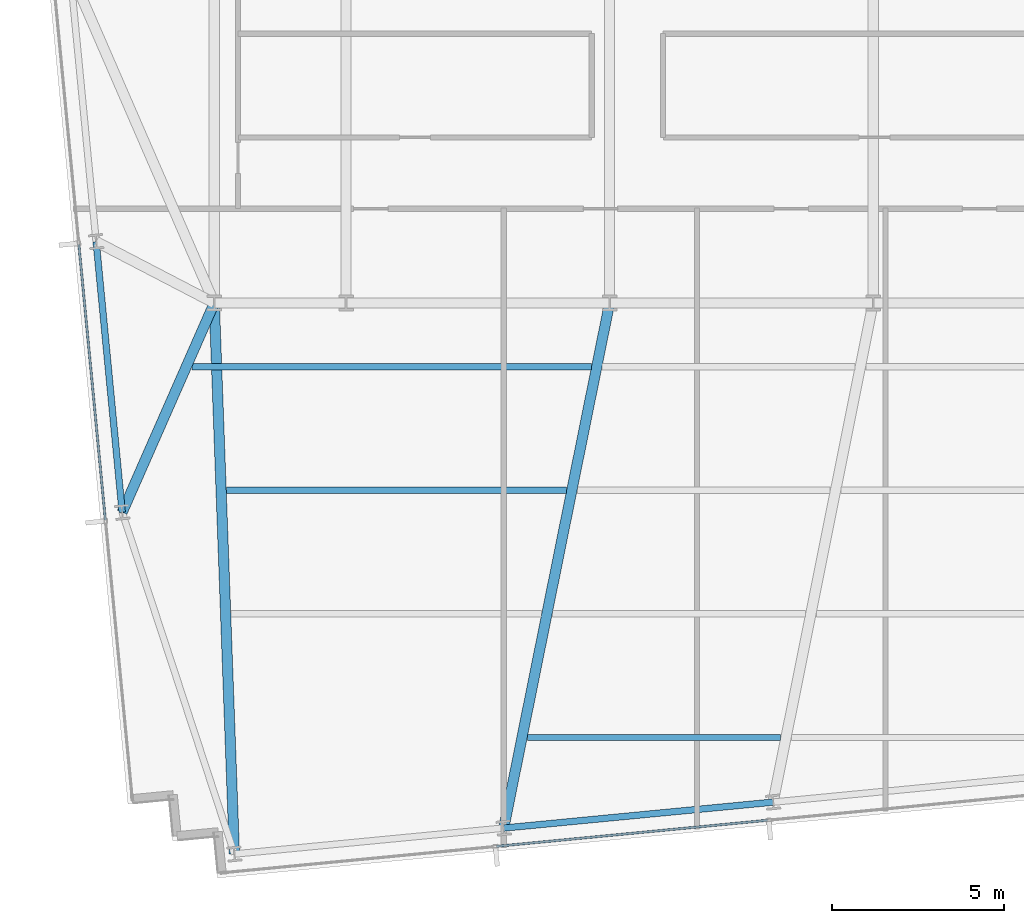
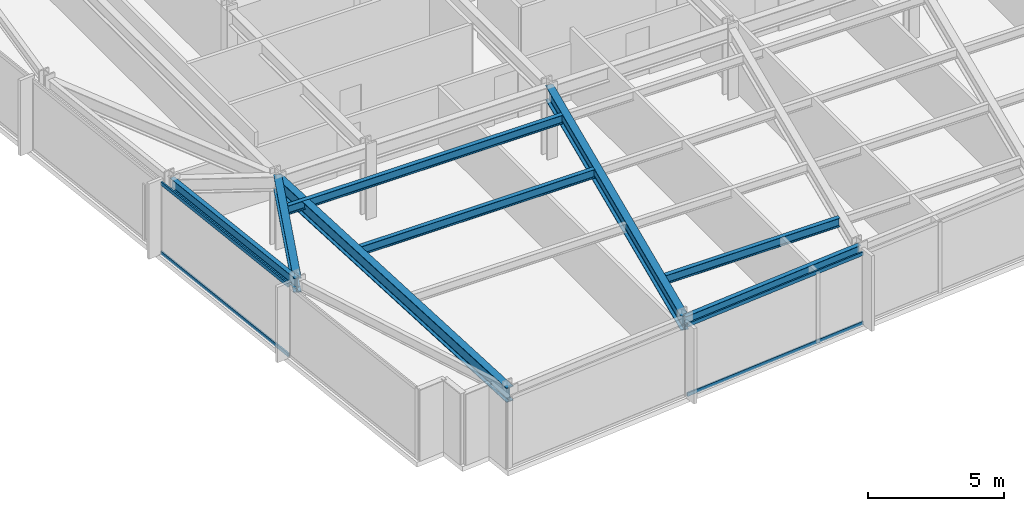
# One storey, part 3 of 32: 8 beams, 4 members, 2 elements without a shape of their own.
"""IFC4 building model written with IfcOpenShell, lengths in metres."""

from ifc_helpers import new_model, si_unit, direction, frame, origin, origin_2d, place, context, subcontext, project, spatial, hollow_rectangle, i_section, extrude, material, material_profile, profile_set, type_object, element, aggregate, save


model = new_model("IFC4")

# Units and contexts
model_context = context("Model", 3, precision=1e-05, world=origin(), true_north=direction((0.0, 1.0)))
body_context = subcontext(model_context, "Body", "Model", "MODEL_VIEW")
ifc_project = project(units=[si_unit("LENGTHUNIT", "METRE"), si_unit("AREAUNIT", "SQUARE_METRE"), si_unit("VOLUMEUNIT", "CUBIC_METRE"), si_unit("PLANEANGLEUNIT", "RADIAN"), si_unit("MASSUNIT", "GRAM", prefix="KILO")], contexts=[model_context])

# Site, building, storey
site_placement = place(None, origin())
site = spatial("IfcSite", under=ifc_project, at=site_placement, CompositionType="ELEMENT")
building_placement = place(site_placement, origin())
building = spatial("IfcBuilding", under=site, at=building_placement, Name="Yelkora Congress Tower", CompositionType="ELEMENT")
storey_placement = place(building_placement, frame((0.0, 0.0, 130.5)))
storey = spatial("IfcBuildingStorey", under=building, at=storey_placement, Name="L35", CompositionType="ELEMENT", Elevation=130.5)

# Beams
ifc_material_1 = material(Name="Steel S355J2", Category="steel")
ifc_material_profile_1 = material_profile(ifc_material_1, i_section(OverallWidth=0.300048828125, OverallDepth=0.64990234375, WebThickness=0.01611328125, FlangeThickness=0.031005859375, FilletRadius=0.027099609375, at=origin_2d()), Name="HEB 650")
ifc_profile_set_1 = profile_set([ifc_material_profile_1], Name="Steel S355J2")
beam_type_1 = type_object("IfcBeamType", Name="BM-GIRD-HEB650", PredefinedType="BEAM", material=ifc_profile_set_1)
beam_1_placement = place(storey_placement, frame((19.785888671875, 9.144287109375, 2.85498046875), z_axis=(-0.03646985294, 0.999334753637, 0.0), x_axis=(-0.999334753637, -0.03646985294, 0.0)))
element("IfcBeam", 1, at=beam_1_placement, inside=storey, type_object=beam_type_1, Name="L35 Primary Frame Girder S01", PredefinedType="BEAM", context=body_context, shape_type="SweptSolid", body=[
    extrude(i_section(OverallWidth=0.300048828125, OverallDepth=0.64990234375, WebThickness=0.01611328125, FlangeThickness=0.031005859375, FilletRadius=0.027099609375, at=origin_2d()), origin(), (0.0, 0.0, 1.0), 16.06640625),
])
beam_2_placement = place(storey_placement, frame((27.635498046875, 9.900146484375, 2.85498046875), z_axis=(0.197625995154, 0.980277494406, 0.0), x_axis=(-0.980277494406, 0.197625995154, 0.0)))
element("IfcBeam", 2, at=beam_2_placement, inside=storey, type_object=beam_type_1, Name="L35 Primary Frame Girder S02", PredefinedType="BEAM", context=body_context, shape_type="SweptSolid", body=[
    extrude(i_section(OverallWidth=0.300048828125, OverallDepth=0.64990234375, WebThickness=0.01611328125, FlangeThickness=0.031005859375, FilletRadius=0.027099609375, at=origin_2d()), origin(), (0.0, 0.0, 1.0), 15.607666015625),
])
beam_3_placement = place(storey_placement, frame((16.5166015625, 19.101806640625, 2.85498046875), z_axis=(0.402759490709, 0.915305846504, 0.0), x_axis=(-0.915305846504, 0.402759490709, 0.0)))
element("IfcBeam", 3, at=beam_3_placement, inside=storey, type_object=beam_type_1, Name="L35 Primary Frame Girder W01", PredefinedType="BEAM", context=body_context, shape_type="SweptSolid", body=[
    extrude(i_section(OverallWidth=0.300048828125, OverallDepth=0.64990234375, WebThickness=0.01611328125, FlangeThickness=0.031005859375, FilletRadius=0.027099609375, at=origin_2d()), origin(), (0.0, 0.0, 1.0), 6.662353515625),
])
ifc_material_profile_2 = material_profile(ifc_material_1, i_section(OverallWidth=0.179931640625, OverallDepth=0.39990234375, WebThickness=0.008544921875, FlangeThickness=0.013427734375, FilletRadius=0.02099609375, at=origin_2d()), Name="IPE 400")
ifc_profile_set_2 = profile_set([ifc_material_profile_2], Name="Steel S355J2")
beam_type_2 = type_object("IfcBeamType", Name="BM-JOIST-IPE400", PredefinedType="JOIST", material=ifc_profile_set_2)
beam_4_placement = place(storey_placement, frame((28.32861328125, 12.54443359375, 2.97998046875), z_axis=(1.0, 0.0, 0.0), x_axis=(0.0, 1.0, 0.0)))
element("IfcBeam", 4, at=beam_4_placement, inside=storey, type_object=beam_type_2, Name="L35 Composite Floor Joist 1", PredefinedType="JOIST", context=body_context, shape_type="SweptSolid", body=[
    extrude(i_section(OverallWidth=0.179931640625, OverallDepth=0.39990234375, WebThickness=0.008544921875, FlangeThickness=0.013427734375, FilletRadius=0.02099609375, at=origin_2d()), origin(), (0.0, 0.0, 1.0), 7.374755859375),
])
beam_5_placement = place(storey_placement, frame((19.55908203125, 19.744384765625, 2.97998046875), z_axis=(1.0, 0.0, 0.0), x_axis=(0.0, 1.0, 0.0)))
element("IfcBeam", 5, at=beam_5_placement, inside=storey, type_object=beam_type_2, Name="L35 Composite Floor Joist 11", PredefinedType="JOIST", context=body_context, shape_type="SweptSolid", body=[
    extrude(i_section(OverallWidth=0.179931640625, OverallDepth=0.39990234375, WebThickness=0.008544921875, FlangeThickness=0.013427734375, FilletRadius=0.02099609375, at=origin_2d()), origin(), (0.0, 0.0, 1.0), 9.901123046875),
])
beam_6_placement = place(storey_placement, frame((18.54345703125, 23.344482421875, 2.97998046875), z_axis=(1.0, 0.0, 0.0), x_axis=(0.0, 1.0, 0.0)))
element("IfcBeam", 6, at=beam_6_placement, inside=storey, type_object=beam_type_2, Name="L35 Composite Floor Joist 18", PredefinedType="JOIST", context=body_context, shape_type="SweptSolid", body=[
    extrude(i_section(OverallWidth=0.179931640625, OverallDepth=0.39990234375, WebThickness=0.008544921875, FlangeThickness=0.013427734375, FilletRadius=0.02099609375, at=origin_2d()), origin(), (0.0, 0.0, 1.0), 11.642333984375),
])
ifc_material_profile_3 = material_profile(ifc_material_1, i_section(OverallWidth=0.18994140625, OverallDepth=0.449951171875, WebThickness=0.009521484375, FlangeThickness=0.0146484375, FilletRadius=0.02099609375, at=origin_2d()), Name="IPE 450")
ifc_profile_set_3 = profile_set([ifc_material_profile_3], Name="Steel S355J2")
beam_type_3 = type_object("IfcBeamType", Name="BM-SPAN-IPE450", PredefinedType="SPANDREL", material=ifc_profile_set_3)
beam_7_placement = place(storey_placement, frame((15.757080078125, 26.990478515625, 2.955078125), z_axis=(0.09583684824, -0.995397055712, 0.0), x_axis=(0.995397055712, 0.09583684824, 0.0)))
element("IfcBeam", 7, at=beam_7_placement, inside=storey, type_object=beam_type_3, Name="L35 Perimeter Beam 1", PredefinedType="SPANDREL", context=body_context, shape_type="SweptSolid", body=[
    extrude(i_section(OverallWidth=0.18994140625, OverallDepth=0.449951171875, WebThickness=0.009521484375, FlangeThickness=0.0146484375, FilletRadius=0.02099609375, at=origin_2d()), origin(), (0.0, 0.0, 1.0), 7.925048828125),
])
beam_8_placement = place(storey_placement, frame((27.635498046875, 9.900146484375, 2.955078125), z_axis=(0.995395575667, 0.095852219286, 0.0), x_axis=(-0.095852219286, 0.995395575667, 0.0)))
element("IfcBeam", 8, at=beam_8_placement, inside=storey, type_object=beam_type_3, Name="L35 Perimeter Beam 4", PredefinedType="SPANDREL", context=body_context, shape_type="SweptSolid", body=[
    extrude(i_section(OverallWidth=0.18994140625, OverallDepth=0.449951171875, WebThickness=0.009521484375, FlangeThickness=0.0146484375, FilletRadius=0.02099609375, at=origin_2d()), origin(), (0.0, 0.0, 1.0), 7.8857421875),
])

# Curtain wall, members
ifc_material_2 = material(Name="Anodised aluminium and insulated glass", Category="aluminium")
curtain_wall_type = type_object("IfcCurtainWallType", Name="CW-SYS-B2", PredefinedType="NOTDEFINED", material=ifc_material_2)
curtain_wall_1_placement = place(storey_placement, origin())
curtain_wall_1 = element("IfcCurtainWall", 9, at=curtain_wall_1_placement, inside=storey, type_object=curtain_wall_type, Name="L35 Unitised Curtain Wall 5", PredefinedType="NOTDEFINED")
ifc_material_3 = material(Name="Anodised aluminium 6063-T6", Category="aluminium")
ifc_material_profile_4 = material_profile(ifc_material_3, hollow_rectangle(XDim=0.06494140625, YDim=0.159912109375, WallThickness=0.00390625, at=origin_2d()), Name="ALU 65x160x4")
ifc_profile_set_4 = profile_set([ifc_material_profile_4], Name="Anodised aluminium 6063-T6")
member_type = type_object("IfcMemberType", Name="MEM-TR-B2", PredefinedType="USERDEFINED", material=ifc_profile_set_4)
member_1_placement = place(storey_placement, frame((16.025146484375, 18.8837890625, 0.032470703125), z_axis=(-0.095838228465, 0.995396922823, 0.0), x_axis=(-0.995396922823, -0.095838228465, 0.0)))
member_1 = element("IfcMember", 10, at=member_1_placement, type_object=member_type, Name="CW-B2 transom 2.1", ObjectType="TRANSOM", PredefinedType="USERDEFINED", context=body_context, shape_type="SweptSolid", body=[
    extrude(hollow_rectangle(XDim=0.06494140625, YDim=0.159912109375, WallThickness=0.00390625, at=origin_2d()), origin(), (0.0, 0.0, 1.0), 8.06005859375),
])
member_2_placement = place(storey_placement, frame((16.025146484375, 18.8837890625, 3.1474609375), z_axis=(-0.095838228465, 0.995396922823, 0.0), x_axis=(-0.995396922823, -0.095838228465, 0.0)))
member_2 = element("IfcMember", 11, at=member_2_placement, type_object=member_type, Name="CW-B2 transom 2.2", ObjectType="TRANSOM", PredefinedType="USERDEFINED", context=body_context, shape_type="SweptSolid", body=[
    extrude(hollow_rectangle(XDim=0.06494140625, YDim=0.159912109375, WallThickness=0.00390625, at=origin_2d()), origin(), (0.0, 0.0, 1.0), 8.06005859375),
])
aggregate(curtain_wall_1, [member_1, member_2])

curtain_wall_2_placement = place(storey_placement, origin())
curtain_wall_2 = element("IfcCurtainWall", 12, at=curtain_wall_2_placement, inside=storey, type_object=curtain_wall_type, Name="L35 Unitised Curtain Wall 20", PredefinedType="NOTDEFINED")
member_3_placement = place(storey_placement, frame((35.323974609375, 10.128173828125, 0.032470703125), z_axis=(-0.995397293396, -0.095834379534, 0.0), x_axis=(0.095834379534, -0.995397293396, 0.0)))
member_3 = element("IfcMember", 13, at=member_3_placement, type_object=member_type, Name="CW-B2 transom 6.1", ObjectType="TRANSOM", PredefinedType="USERDEFINED", context=body_context, shape_type="SweptSolid", body=[
    extrude(hollow_rectangle(XDim=0.06494140625, YDim=0.159912109375, WallThickness=0.00390625, at=origin_2d()), origin(), (0.0, 0.0, 1.0), 7.93310546875),
])
member_4_placement = place(storey_placement, frame((35.323974609375, 10.128173828125, 3.1474609375), z_axis=(-0.995397293396, -0.095834379534, 0.0), x_axis=(0.095834379534, -0.995397293396, 0.0)))
member_4 = element("IfcMember", 14, at=member_4_placement, type_object=member_type, Name="CW-B2 transom 6.2", ObjectType="TRANSOM", PredefinedType="USERDEFINED", context=body_context, shape_type="SweptSolid", body=[
    extrude(hollow_rectangle(XDim=0.06494140625, YDim=0.159912109375, WallThickness=0.00390625, at=origin_2d()), origin(), (0.0, 0.0, 1.0), 7.93310546875),
])
aggregate(curtain_wall_2, [member_3, member_4])

save(model, "model.ifc")
